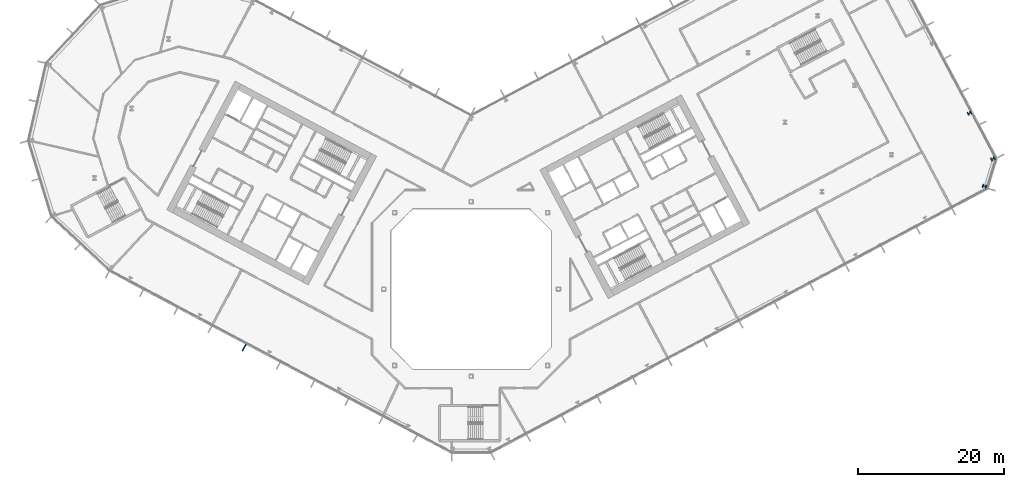
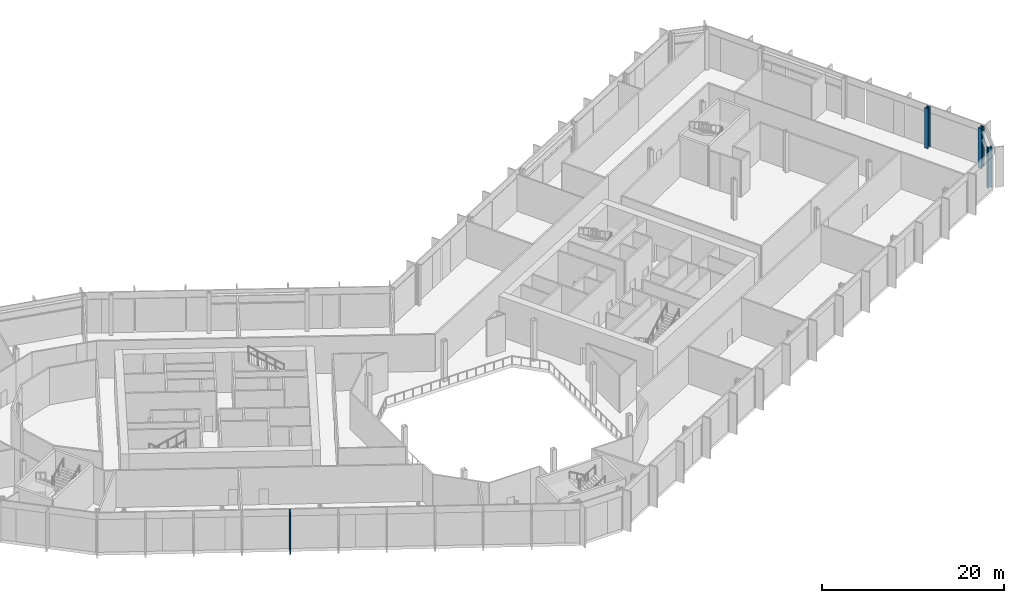
# One storey, part 5 of 31: 3 columns, 1 member, 1 element without a shape of its own.
"""IFC4 building model written with IfcOpenShell, lengths in metres."""

from ifc_helpers import new_model, si_unit, direction, frame, origin, origin_2d, place, context, subcontext, project, spatial, rectangle, i_section, extrude, material, layer, layer_set, material_profile, profile_set, type_object, element, aggregate, save


model = new_model("IFC4")

# Units and contexts
model_context = context("Model", 3, precision=1e-05, world=origin(), true_north=direction((0.0, 1.0)))
body_context = subcontext(model_context, "Body", "Model", "MODEL_VIEW")
ifc_project = project(units=[si_unit("LENGTHUNIT", "METRE"), si_unit("AREAUNIT", "SQUARE_METRE"), si_unit("VOLUMEUNIT", "CUBIC_METRE"), si_unit("PLANEANGLEUNIT", "RADIAN"), si_unit("MASSUNIT", "GRAM", prefix="KILO")], contexts=[model_context])

# Site, building, storey
site_placement = place(None, origin())
site = spatial("IfcSite", under=ifc_project, at=site_placement, CompositionType="ELEMENT")
building_placement = place(site_placement, origin())
building = spatial("IfcBuilding", under=site, at=building_placement, Name="Cormorant Relay Tower", CompositionType="ELEMENT")
storey_placement = place(building_placement, frame((0.0, 0.0, 50.0)))
storey = spatial("IfcBuildingStorey", under=building, at=storey_placement, Name="L09", CompositionType="ELEMENT", Elevation=50.0)

# Columns
ifc_material_1 = material(Name="Steel ASTM A992 (Fy 345 MPa)", Category="steel")
ifc_material_profile_1 = material_profile(ifc_material_1, i_section(OverallWidth=0.45458984375, OverallDepth=0.569091796875, WebThickness=0.077880859375, FlangeThickness=0.124755859375, FilletRadius=0.015380859375, at=origin_2d()), Name="W360x1086")
ifc_profile_set_1 = profile_set([ifc_material_profile_1], Name="Steel ASTM A992 (Fy 345 MPa)")
column_type_1 = type_object("IfcColumnType", Name="Column W360x1086", PredefinedType="COLUMN", material=ifc_profile_set_1)
for number, where, z_axis, x_axis, name in (
    (1, (70.47412109375, 14.10595703125, 0.0), (0.0, 0.0, 1.0), (0.292371704723, 0.956304755963, 0.0), "Column L09-026"),
    (2, (71.625, 17.87109375, 0.0), (0.0, 0.0, 1.0), (-0.469471562786, 0.882947592859, 0.0), "Column L09-028"),
):
    element("IfcColumn", number, at=place(storey_placement, frame(where, z_axis=z_axis, x_axis=x_axis)), inside=storey, type_object=column_type_1, Name=name, PredefinedType="COLUMN", context=body_context, shape_type="SweptSolid", body=[
        extrude(i_section(OverallWidth=0.45458984375, OverallDepth=0.569091796875, WebThickness=0.077880859375, FlangeThickness=0.124755859375, FilletRadius=0.015380859375, at=origin_2d()), origin(), (0.0, 0.0, 1.0), 5.39990234375),
    ])
ifc_material_2 = material(Name="Steel ASTM A992 (Fy 345 MPa)", Category="steel")
ifc_material_profile_2 = material_profile(ifc_material_2, i_section(OverallWidth=0.43701171875, OverallDepth=0.51318359375, WebThickness=0.060546875, FlangeThickness=0.096923828125, FilletRadius=0.015380859375, at=origin_2d()), Name="W360x818")
ifc_profile_set_2 = profile_set([ifc_material_profile_2], Name="Steel ASTM A992 (Fy 345 MPa)")
column_type_2 = type_object("IfcColumnType", Name="Column W360x818", PredefinedType="COLUMN", material=ifc_profile_set_2)
column_placement = place(storey_placement, frame((68.4130859375, 24.14404296875, 0.0), z_axis=(0.0, 0.0, 1.0), x_axis=(-0.469471562786, 0.882947592859, 0.0)))
element("IfcColumn", 3, at=column_placement, inside=storey, type_object=column_type_2, Name="Column L09-033", PredefinedType="COLUMN", context=body_context, shape_type="SweptSolid", body=[
    extrude(i_section(OverallWidth=0.43701171875, OverallDepth=0.51318359375, WebThickness=0.060546875, FlangeThickness=0.096923828125, FilletRadius=0.015380859375, at=origin_2d()), origin(), (0.0, 0.0, 1.0), 5.39990234375),
])

# Curtain wall, member
ifc_material_3 = material(Name="Aluminium 6063-T6 anodised bronze", Category="aluminium")
ifc_layer = layer(ifc_material_3, 0.235107421875)
ifc_layer_set = layer_set([ifc_layer], Name="CW6 data hall curtain wall with mineral wool panels")
curtain_wall_type = type_object("IfcCurtainWallType", Name="CW6 data hall curtain wall with mineral wool panels", PredefinedType="NOTDEFINED", material=ifc_layer_set)
curtain_wall_placement = place(storey_placement, origin())
curtain_wall = element("IfcCurtainWall", 4, at=curtain_wall_placement, inside=storey, type_object=curtain_wall_type, Name="CW6 curtain wall 14", PredefinedType="NOTDEFINED")
ifc_material_4 = material(Name="Aluminium 6063-T6 anodised bronze", Category="aluminium")
ifc_material_profile_3 = material_profile(ifc_material_4, rectangle(XDim=0.14990234375, YDim=1.0, at=origin_2d()), Name="AL 150x1000")
ifc_profile_set_3 = profile_set([ifc_material_profile_3], Name="Aluminium 6063-T6 anodised bronze")
member_type = type_object("IfcMemberType", Name="CW6 bronze fin mullion 150 x 1000", PredefinedType="MULLION", material=ifc_profile_set_3)
member_placement = place(storey_placement, frame((-31.159423828125, -8.048583984375, 0.0), z_axis=(0.0, 0.0, 1.0), x_axis=(0.882947592859, -0.469471562786, 0.0)))
member = element("IfcMember", 5, at=member_placement, type_object=member_type, Name="CW6 fin 14.5", PredefinedType="MULLION", context=body_context, shape_type="SweptSolid", body=[
    extrude(rectangle(XDim=0.14990234375, YDim=1.0, at=origin_2d()), origin(), (0.0, 0.0, 1.0), 5.39990234375),
])
aggregate(curtain_wall, [member])

save(model, "model.ifc")
